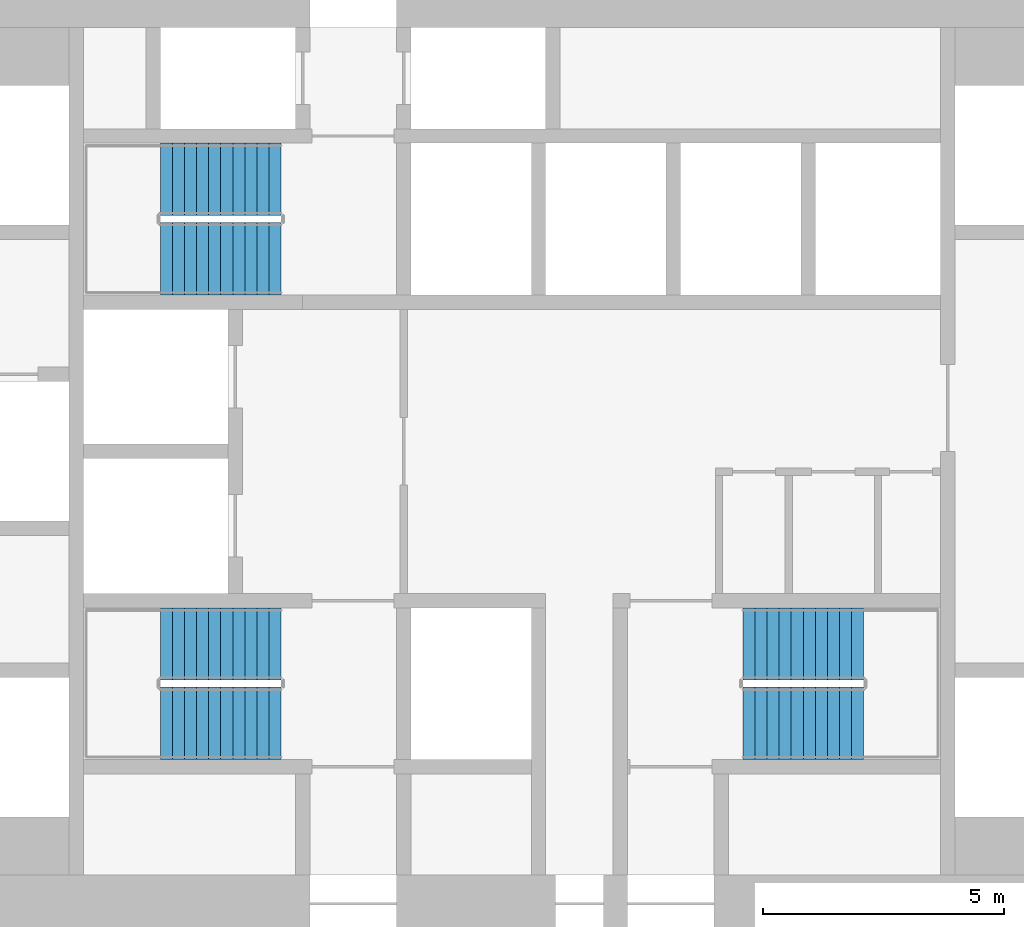
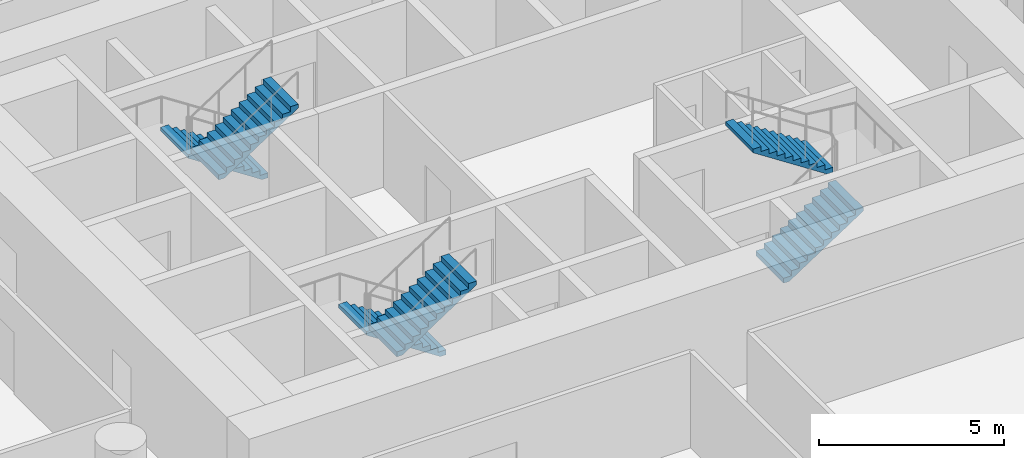
# One storey, part 10 of 11: 6 stair flights, 3 elements without a shape of their own.
"""IFC4 building model written with IfcOpenShell, lengths in metres."""

from ifc_helpers import new_model, si_unit, direction, frame, origin, place, context, subcontext, project, spatial, polyline, outline, extrude, material, type_object, element, aggregate, save


model = new_model("IFC4")

# Units and contexts
model_context = context("Model", 3, precision=1e-05, world=origin(), true_north=direction((0.0, 1.0)))
body_context = subcontext(model_context, "Body", "Model", "MODEL_VIEW")
ifc_project = project(units=[si_unit("LENGTHUNIT", "METRE"), si_unit("AREAUNIT", "SQUARE_METRE"), si_unit("VOLUMEUNIT", "CUBIC_METRE"), si_unit("PLANEANGLEUNIT", "RADIAN"), si_unit("MASSUNIT", "GRAM", prefix="KILO")], contexts=[model_context])

# Site, building, storey
site_placement = place(None, origin())
site = spatial("IfcSite", under=ifc_project, at=site_placement, CompositionType="ELEMENT")
building_placement = place(site_placement, origin())
building = spatial("IfcBuilding", under=site, at=building_placement, Name="Tracery Tower", CompositionType="ELEMENT")
storey_placement = place(building_placement, frame((0.0, 0.0, 64.199951171875)))
storey = spatial("IfcBuildingStorey", under=building, at=storey_placement, Name="L15", CompositionType="ELEMENT", Elevation=64.199951171875)

# Stair, stair flights
ifc_material_1 = material(Name="Concrete C32/40", Category="concrete")
stair_type = type_object("IfcStairType", Name="Core stair 22 risers", PredefinedType="HALF_TURN_STAIR", material=ifc_material_1)
stair_1_placement = place(storey_placement, origin())
stair_1 = element("IfcStair", 1, at=stair_1_placement, inside=storey, type_object=stair_type, Name="L15 stair ST1", PredefinedType="HALF_TURN_STAIR")
ifc_material_2 = material(Name="Concrete C32/40", Category="concrete")
stair_flight_type = type_object("IfcStairFlightType", Name="Core stair flight 11 risers", PredefinedType="STRAIGHT", material=ifc_material_2)
stair_flight_1_placement = place(storey_placement, frame((-4.800048828125, -4.0, 0.0), z_axis=(0.0, 0.0, 1.0), x_axis=(-1.0, 0.0, 0.0)))
stair_flight_1 = element("IfcStairFlight", 2, at=stair_flight_1_placement, type_object=stair_flight_type, Name="ST1 flight 1", NumberOfRisers=11, NumberOfTreads=10, PredefinedType="STRAIGHT", RiserHeight=0.163636364, TreadLength=0.25, context=body_context, shape_type="SweptSolid", body=[
    extrude(outline(polyline([(0.0, 0.0), (0.0, 0.002685546875), (0.0, 0.00537109375), (0.0, 0.008056640625), (0.0, 0.0107421875), (0.0, 0.013427734375), (0.0, 0.01611328125), (0.0, 0.018798828125), (0.0, 0.021484375), (0.0, 0.024169921875), (0.0, 0.02685546875), (0.0, 0.029541015625), (0.0, 0.0322265625), (0.0, 0.034912109375), (0.0, 0.03759765625), (0.0, 0.040283203125), (0.0, 0.04296875), (0.0, 0.045654296875), (0.0, 0.04833984375), (0.0, 0.051025390625), (0.0, 0.0537109375), (0.0, 0.056396484375), (0.0, 0.05908203125), (0.0, 0.061767578125), (0.0, 0.064453125), (0.0, 0.067138671875), (0.0, 0.06982421875), (0.0, 0.072509765625), (0.0, 0.0751953125), (0.0, 0.077880859375), (0.0, 0.08056640625), (0.0, 0.083251953125), (0.0, 0.0859375), (0.0, 0.088623046875), (0.0, 0.09130859375), (0.0, 0.093994140625), (0.0, 0.0966796875), (0.0, 0.099365234375), (0.0, 0.10205078125), (0.0, 0.104736328125), (0.0, 0.107421875), (0.0, 0.10986328125), (0.0, 0.112548828125), (0.0, 0.115234375), (0.0, 0.117919921875), (0.0, 0.12060546875), (0.0, 0.123291015625), (0.0, 0.1259765625), (0.0, 0.128662109375), (0.0, 0.13134765625), (0.0, 0.134033203125), (0.0, 0.13671875), (0.0, 0.139404296875), (0.0, 0.14208984375), (0.0, 0.144775390625), (0.0, 0.1474609375), (0.0, 0.150146484375), (0.0, 0.15283203125), (0.0, 0.155517578125), (0.0, 0.158203125), (0.0, 0.160888671875), (0.0, 0.16357421875), (0.25, 0.16357421875), (0.25, 0.327392578125), (0.5, 0.327392578125), (0.5, 0.490966796875), (0.75, 0.490966796875), (0.75, 0.654541015625), (1.0, 0.654541015625), (1.0, 0.818115234375), (1.25, 0.818115234375), (1.25, 0.98193359375), (1.5, 0.98193359375), (1.5, 1.1455078125), (1.75, 1.1455078125), (1.75, 1.30908203125), (2.0, 1.30908203125), (2.0, 1.47265625), (2.25, 1.47265625), (2.25, 1.636474609375), (2.5, 1.636474609375), (2.5, 1.634521484375), (2.5, 1.63232421875), (2.5, 1.63037109375), (2.5, 1.62841796875), (2.5, 1.62646484375), (2.5, 1.62451171875), (2.5, 1.62255859375), (2.5, 1.62060546875), (2.5, 1.61865234375), (2.5, 1.61669921875), (2.5, 1.61474609375), (2.5, 1.61279296875), (2.5, 1.61083984375), (2.5, 1.60888671875), (2.5, 1.60693359375), (2.5, 1.60498046875), (2.5, 1.60302734375), (2.5, 1.60107421875), (2.5, 1.59912109375), (2.5, 1.59716796875), (2.5, 1.59521484375), (2.5, 1.59326171875), (2.5, 1.59130859375), (2.5, 1.58935546875), (2.5, 1.58740234375), (2.5, 1.58544921875), (2.5, 1.58349609375), (2.5, 1.58154296875), (2.5, 1.57958984375), (2.5, 1.57763671875), (2.5, 1.57568359375), (2.5, 1.573486328125), (2.5, 1.571533203125), (2.5, 1.569580078125), (2.5, 1.567626953125), (2.5, 1.565673828125), (2.5, 1.563720703125), (2.5, 1.561767578125), (2.5, 1.559814453125), (2.5, 1.557861328125), (2.5, 1.555908203125), (2.5, 1.553955078125), (2.5, 1.552001953125), (2.5, 1.550048828125), (2.5, 1.548095703125), (2.5, 1.546142578125), (2.5, 1.544189453125), (2.5, 1.542236328125), (2.5, 1.540283203125), (2.5, 1.538330078125), (2.5, 1.536376953125), (2.5, 1.534423828125), (2.5, 1.532470703125), (2.5, 1.530517578125), (2.5, 1.528564453125), (2.5, 1.526611328125), (2.5, 1.524658203125), (2.5, 1.522705078125), (2.5, 1.520751953125), (2.5, 1.518798828125), (2.5, 1.516845703125), (0.182861328125, 0.0), (0.0, 0.0)])), frame((0.0, 0.75, 0.0), z_axis=(0.0, -1.0, 0.0), x_axis=(1.0, 0.0, 0.0)), (0.0, 0.0, 1.0), 1.5),
])
stair_flight_2_placement = place(storey_placement, frame((-7.300048828125, -5.64990234375, 1.800048828125), z_axis=(0.0, 0.0, 1.0), x_axis=(1.0, 0.0, 0.0)))
stair_flight_2 = element("IfcStairFlight", 3, at=stair_flight_2_placement, type_object=stair_flight_type, Name="ST1 flight 2", NumberOfRisers=11, NumberOfTreads=10, PredefinedType="STRAIGHT", RiserHeight=0.163636364, TreadLength=0.25, context=body_context, shape_type="SweptSolid", body=[
    extrude(outline(polyline([(0.0, 0.0), (0.0, 0.002685546875), (0.0, 0.00537109375), (0.0, 0.008056640625), (0.0, 0.0107421875), (0.0, 0.013427734375), (0.0, 0.01611328125), (0.0, 0.018798828125), (0.0, 0.021484375), (0.0, 0.024169921875), (0.0, 0.02685546875), (0.0, 0.029541015625), (0.0, 0.0322265625), (0.0, 0.034912109375), (0.0, 0.03759765625), (0.0, 0.040283203125), (0.0, 0.04296875), (0.0, 0.045654296875), (0.0, 0.04833984375), (0.0, 0.051025390625), (0.0, 0.0537109375), (0.0, 0.056396484375), (0.0, 0.05908203125), (0.0, 0.061767578125), (0.0, 0.064453125), (0.0, 0.067138671875), (0.0, 0.06982421875), (0.0, 0.072509765625), (0.0, 0.0751953125), (0.0, 0.077880859375), (0.0, 0.08056640625), (0.0, 0.083251953125), (0.0, 0.0859375), (0.0, 0.088623046875), (0.0, 0.09130859375), (0.0, 0.093994140625), (0.0, 0.0966796875), (0.0, 0.099365234375), (0.0, 0.10205078125), (0.0, 0.104736328125), (0.0, 0.107421875), (0.0, 0.10986328125), (0.0, 0.112548828125), (0.0, 0.115234375), (0.0, 0.117919921875), (0.0, 0.12060546875), (0.0, 0.123291015625), (0.0, 0.1259765625), (0.0, 0.128662109375), (0.0, 0.13134765625), (0.0, 0.134033203125), (0.0, 0.13671875), (0.0, 0.139404296875), (0.0, 0.14208984375), (0.0, 0.144775390625), (0.0, 0.1474609375), (0.0, 0.150146484375), (0.0, 0.15283203125), (0.0, 0.155517578125), (0.0, 0.158203125), (0.0, 0.160888671875), (0.0, 0.16357421875), (0.25, 0.16357421875), (0.25, 0.327392578125), (0.5, 0.327392578125), (0.5, 0.490966796875), (0.75, 0.490966796875), (0.75, 0.654541015625), (1.0, 0.654541015625), (1.0, 0.818115234375), (1.25, 0.818115234375), (1.25, 0.98193359375), (1.5, 0.98193359375), (1.5, 1.1455078125), (1.75, 1.1455078125), (1.75, 1.30908203125), (2.0, 1.30908203125), (2.0, 1.47265625), (2.25, 1.47265625), (2.25, 1.636474609375), (2.5, 1.636474609375), (2.5, 1.634521484375), (2.5, 1.63232421875), (2.5, 1.63037109375), (2.5, 1.62841796875), (2.5, 1.62646484375), (2.5, 1.62451171875), (2.5, 1.62255859375), (2.5, 1.62060546875), (2.5, 1.61865234375), (2.5, 1.61669921875), (2.5, 1.61474609375), (2.5, 1.61279296875), (2.5, 1.61083984375), (2.5, 1.60888671875), (2.5, 1.60693359375), (2.5, 1.60498046875), (2.5, 1.60302734375), (2.5, 1.60107421875), (2.5, 1.59912109375), (2.5, 1.59716796875), (2.5, 1.59521484375), (2.5, 1.59326171875), (2.5, 1.59130859375), (2.5, 1.58935546875), (2.5, 1.58740234375), (2.5, 1.58544921875), (2.5, 1.58349609375), (2.5, 1.58154296875), (2.5, 1.57958984375), (2.5, 1.57763671875), (2.5, 1.57568359375), (2.5, 1.573486328125), (2.5, 1.571533203125), (2.5, 1.569580078125), (2.5, 1.567626953125), (2.5, 1.565673828125), (2.5, 1.563720703125), (2.5, 1.561767578125), (2.5, 1.559814453125), (2.5, 1.557861328125), (2.5, 1.555908203125), (2.5, 1.553955078125), (2.5, 1.552001953125), (2.5, 1.550048828125), (2.5, 1.548095703125), (2.5, 1.546142578125), (2.5, 1.544189453125), (2.5, 1.542236328125), (2.5, 1.540283203125), (2.5, 1.538330078125), (2.5, 1.536376953125), (2.5, 1.534423828125), (2.5, 1.532470703125), (2.5, 1.530517578125), (2.5, 1.528564453125), (2.5, 1.526611328125), (2.5, 1.524658203125), (2.5, 1.522705078125), (2.5, 1.520751953125), (2.5, 1.518798828125), (2.5, 1.516845703125), (0.182861328125, 0.0), (0.0, 0.0)])), frame((0.0, 0.75, 0.0), z_axis=(0.0, -1.0, 0.0), x_axis=(1.0, 0.0, 0.0)), (0.0, 0.0, 1.0), 1.5),
])
aggregate(stair_1, [stair_flight_1, stair_flight_2])

stair_2_placement = place(storey_placement, origin())
stair_2 = element("IfcStair", 4, at=stair_2_placement, inside=storey, type_object=stair_type, Name="L15 stair ST3", PredefinedType="HALF_TURN_STAIR")
stair_flight_3_placement = place(storey_placement, frame((-4.800048828125, 5.64990234375, 0.0), z_axis=(0.0, 0.0, 1.0), x_axis=(-1.0, 0.0, 0.0)))
stair_flight_3 = element("IfcStairFlight", 5, at=stair_flight_3_placement, type_object=stair_flight_type, Name="ST3 flight 1", NumberOfRisers=11, NumberOfTreads=10, PredefinedType="STRAIGHT", RiserHeight=0.163636364, TreadLength=0.25, context=body_context, shape_type="SweptSolid", body=[
    extrude(outline(polyline([(0.0, 0.0), (0.0, 0.002685546875), (0.0, 0.00537109375), (0.0, 0.008056640625), (0.0, 0.0107421875), (0.0, 0.013427734375), (0.0, 0.01611328125), (0.0, 0.018798828125), (0.0, 0.021484375), (0.0, 0.024169921875), (0.0, 0.02685546875), (0.0, 0.029541015625), (0.0, 0.0322265625), (0.0, 0.034912109375), (0.0, 0.03759765625), (0.0, 0.040283203125), (0.0, 0.04296875), (0.0, 0.045654296875), (0.0, 0.04833984375), (0.0, 0.051025390625), (0.0, 0.0537109375), (0.0, 0.056396484375), (0.0, 0.05908203125), (0.0, 0.061767578125), (0.0, 0.064453125), (0.0, 0.067138671875), (0.0, 0.06982421875), (0.0, 0.072509765625), (0.0, 0.0751953125), (0.0, 0.077880859375), (0.0, 0.08056640625), (0.0, 0.083251953125), (0.0, 0.0859375), (0.0, 0.088623046875), (0.0, 0.09130859375), (0.0, 0.093994140625), (0.0, 0.0966796875), (0.0, 0.099365234375), (0.0, 0.10205078125), (0.0, 0.104736328125), (0.0, 0.107421875), (0.0, 0.10986328125), (0.0, 0.112548828125), (0.0, 0.115234375), (0.0, 0.117919921875), (0.0, 0.12060546875), (0.0, 0.123291015625), (0.0, 0.1259765625), (0.0, 0.128662109375), (0.0, 0.13134765625), (0.0, 0.134033203125), (0.0, 0.13671875), (0.0, 0.139404296875), (0.0, 0.14208984375), (0.0, 0.144775390625), (0.0, 0.1474609375), (0.0, 0.150146484375), (0.0, 0.15283203125), (0.0, 0.155517578125), (0.0, 0.158203125), (0.0, 0.160888671875), (0.0, 0.16357421875), (0.25, 0.16357421875), (0.25, 0.327392578125), (0.5, 0.327392578125), (0.5, 0.490966796875), (0.75, 0.490966796875), (0.75, 0.654541015625), (1.0, 0.654541015625), (1.0, 0.818115234375), (1.25, 0.818115234375), (1.25, 0.98193359375), (1.5, 0.98193359375), (1.5, 1.1455078125), (1.75, 1.1455078125), (1.75, 1.30908203125), (2.0, 1.30908203125), (2.0, 1.47265625), (2.25, 1.47265625), (2.25, 1.636474609375), (2.5, 1.636474609375), (2.5, 1.634521484375), (2.5, 1.63232421875), (2.5, 1.63037109375), (2.5, 1.62841796875), (2.5, 1.62646484375), (2.5, 1.62451171875), (2.5, 1.62255859375), (2.5, 1.62060546875), (2.5, 1.61865234375), (2.5, 1.61669921875), (2.5, 1.61474609375), (2.5, 1.61279296875), (2.5, 1.61083984375), (2.5, 1.60888671875), (2.5, 1.60693359375), (2.5, 1.60498046875), (2.5, 1.60302734375), (2.5, 1.60107421875), (2.5, 1.59912109375), (2.5, 1.59716796875), (2.5, 1.59521484375), (2.5, 1.59326171875), (2.5, 1.59130859375), (2.5, 1.58935546875), (2.5, 1.58740234375), (2.5, 1.58544921875), (2.5, 1.58349609375), (2.5, 1.58154296875), (2.5, 1.57958984375), (2.5, 1.57763671875), (2.5, 1.57568359375), (2.5, 1.573486328125), (2.5, 1.571533203125), (2.5, 1.569580078125), (2.5, 1.567626953125), (2.5, 1.565673828125), (2.5, 1.563720703125), (2.5, 1.561767578125), (2.5, 1.559814453125), (2.5, 1.557861328125), (2.5, 1.555908203125), (2.5, 1.553955078125), (2.5, 1.552001953125), (2.5, 1.550048828125), (2.5, 1.548095703125), (2.5, 1.546142578125), (2.5, 1.544189453125), (2.5, 1.542236328125), (2.5, 1.540283203125), (2.5, 1.538330078125), (2.5, 1.536376953125), (2.5, 1.534423828125), (2.5, 1.532470703125), (2.5, 1.530517578125), (2.5, 1.528564453125), (2.5, 1.526611328125), (2.5, 1.524658203125), (2.5, 1.522705078125), (2.5, 1.520751953125), (2.5, 1.518798828125), (2.5, 1.516845703125), (0.182861328125, 0.0), (0.0, 0.0)])), frame((0.0, 0.75, 0.0), z_axis=(0.0, -1.0, 0.0), x_axis=(1.0, 0.0, 0.0)), (0.0, 0.0, 1.0), 1.5),
])
stair_flight_4_placement = place(storey_placement, frame((-7.300048828125, 4.0, 1.800048828125), z_axis=(0.0, 0.0, 1.0), x_axis=(1.0, 0.0, 0.0)))
stair_flight_4 = element("IfcStairFlight", 6, at=stair_flight_4_placement, type_object=stair_flight_type, Name="ST3 flight 2", NumberOfRisers=11, NumberOfTreads=10, PredefinedType="STRAIGHT", RiserHeight=0.163636364, TreadLength=0.25, context=body_context, shape_type="SweptSolid", body=[
    extrude(outline(polyline([(0.0, 0.0), (0.0, 0.002685546875), (0.0, 0.00537109375), (0.0, 0.008056640625), (0.0, 0.0107421875), (0.0, 0.013427734375), (0.0, 0.01611328125), (0.0, 0.018798828125), (0.0, 0.021484375), (0.0, 0.024169921875), (0.0, 0.02685546875), (0.0, 0.029541015625), (0.0, 0.0322265625), (0.0, 0.034912109375), (0.0, 0.03759765625), (0.0, 0.040283203125), (0.0, 0.04296875), (0.0, 0.045654296875), (0.0, 0.04833984375), (0.0, 0.051025390625), (0.0, 0.0537109375), (0.0, 0.056396484375), (0.0, 0.05908203125), (0.0, 0.061767578125), (0.0, 0.064453125), (0.0, 0.067138671875), (0.0, 0.06982421875), (0.0, 0.072509765625), (0.0, 0.0751953125), (0.0, 0.077880859375), (0.0, 0.08056640625), (0.0, 0.083251953125), (0.0, 0.0859375), (0.0, 0.088623046875), (0.0, 0.09130859375), (0.0, 0.093994140625), (0.0, 0.0966796875), (0.0, 0.099365234375), (0.0, 0.10205078125), (0.0, 0.104736328125), (0.0, 0.107421875), (0.0, 0.10986328125), (0.0, 0.112548828125), (0.0, 0.115234375), (0.0, 0.117919921875), (0.0, 0.12060546875), (0.0, 0.123291015625), (0.0, 0.1259765625), (0.0, 0.128662109375), (0.0, 0.13134765625), (0.0, 0.134033203125), (0.0, 0.13671875), (0.0, 0.139404296875), (0.0, 0.14208984375), (0.0, 0.144775390625), (0.0, 0.1474609375), (0.0, 0.150146484375), (0.0, 0.15283203125), (0.0, 0.155517578125), (0.0, 0.158203125), (0.0, 0.160888671875), (0.0, 0.16357421875), (0.25, 0.16357421875), (0.25, 0.327392578125), (0.5, 0.327392578125), (0.5, 0.490966796875), (0.75, 0.490966796875), (0.75, 0.654541015625), (1.0, 0.654541015625), (1.0, 0.818115234375), (1.25, 0.818115234375), (1.25, 0.98193359375), (1.5, 0.98193359375), (1.5, 1.1455078125), (1.75, 1.1455078125), (1.75, 1.30908203125), (2.0, 1.30908203125), (2.0, 1.47265625), (2.25, 1.47265625), (2.25, 1.636474609375), (2.5, 1.636474609375), (2.5, 1.634521484375), (2.5, 1.63232421875), (2.5, 1.63037109375), (2.5, 1.62841796875), (2.5, 1.62646484375), (2.5, 1.62451171875), (2.5, 1.62255859375), (2.5, 1.62060546875), (2.5, 1.61865234375), (2.5, 1.61669921875), (2.5, 1.61474609375), (2.5, 1.61279296875), (2.5, 1.61083984375), (2.5, 1.60888671875), (2.5, 1.60693359375), (2.5, 1.60498046875), (2.5, 1.60302734375), (2.5, 1.60107421875), (2.5, 1.59912109375), (2.5, 1.59716796875), (2.5, 1.59521484375), (2.5, 1.59326171875), (2.5, 1.59130859375), (2.5, 1.58935546875), (2.5, 1.58740234375), (2.5, 1.58544921875), (2.5, 1.58349609375), (2.5, 1.58154296875), (2.5, 1.57958984375), (2.5, 1.57763671875), (2.5, 1.57568359375), (2.5, 1.573486328125), (2.5, 1.571533203125), (2.5, 1.569580078125), (2.5, 1.567626953125), (2.5, 1.565673828125), (2.5, 1.563720703125), (2.5, 1.561767578125), (2.5, 1.559814453125), (2.5, 1.557861328125), (2.5, 1.555908203125), (2.5, 1.553955078125), (2.5, 1.552001953125), (2.5, 1.550048828125), (2.5, 1.548095703125), (2.5, 1.546142578125), (2.5, 1.544189453125), (2.5, 1.542236328125), (2.5, 1.540283203125), (2.5, 1.538330078125), (2.5, 1.536376953125), (2.5, 1.534423828125), (2.5, 1.532470703125), (2.5, 1.530517578125), (2.5, 1.528564453125), (2.5, 1.526611328125), (2.5, 1.524658203125), (2.5, 1.522705078125), (2.5, 1.520751953125), (2.5, 1.518798828125), (2.5, 1.516845703125), (0.182861328125, 0.0), (0.0, 0.0)])), frame((0.0, 0.75, 0.0), z_axis=(0.0, -1.0, 0.0), x_axis=(1.0, 0.0, 0.0)), (0.0, 0.0, 1.0), 1.5),
])
aggregate(stair_2, [stair_flight_3, stair_flight_4])

stair_3_placement = place(storey_placement, origin())
stair_3 = element("IfcStair", 7, at=stair_3_placement, inside=storey, type_object=stair_type, Name="L15 stair ST2", PredefinedType="HALF_TURN_STAIR")
stair_flight_5_placement = place(storey_placement, frame((4.800048828125, -5.64990234375, 0.0), z_axis=(0.0, 0.0, 1.0), x_axis=(1.0, 0.0, 0.0)))
stair_flight_5 = element("IfcStairFlight", 8, at=stair_flight_5_placement, type_object=stair_flight_type, Name="ST2 flight 1", NumberOfRisers=11, NumberOfTreads=10, PredefinedType="STRAIGHT", RiserHeight=0.163636364, TreadLength=0.25, context=body_context, shape_type="SweptSolid", body=[
    extrude(outline(polyline([(0.0, 0.0), (0.0, 0.002685546875), (0.0, 0.00537109375), (0.0, 0.008056640625), (0.0, 0.0107421875), (0.0, 0.013427734375), (0.0, 0.01611328125), (0.0, 0.018798828125), (0.0, 0.021484375), (0.0, 0.024169921875), (0.0, 0.02685546875), (0.0, 0.029541015625), (0.0, 0.0322265625), (0.0, 0.034912109375), (0.0, 0.03759765625), (0.0, 0.040283203125), (0.0, 0.04296875), (0.0, 0.045654296875), (0.0, 0.04833984375), (0.0, 0.051025390625), (0.0, 0.0537109375), (0.0, 0.056396484375), (0.0, 0.05908203125), (0.0, 0.061767578125), (0.0, 0.064453125), (0.0, 0.067138671875), (0.0, 0.06982421875), (0.0, 0.072509765625), (0.0, 0.0751953125), (0.0, 0.077880859375), (0.0, 0.08056640625), (0.0, 0.083251953125), (0.0, 0.0859375), (0.0, 0.088623046875), (0.0, 0.09130859375), (0.0, 0.093994140625), (0.0, 0.0966796875), (0.0, 0.099365234375), (0.0, 0.10205078125), (0.0, 0.104736328125), (0.0, 0.107421875), (0.0, 0.10986328125), (0.0, 0.112548828125), (0.0, 0.115234375), (0.0, 0.117919921875), (0.0, 0.12060546875), (0.0, 0.123291015625), (0.0, 0.1259765625), (0.0, 0.128662109375), (0.0, 0.13134765625), (0.0, 0.134033203125), (0.0, 0.13671875), (0.0, 0.139404296875), (0.0, 0.14208984375), (0.0, 0.144775390625), (0.0, 0.1474609375), (0.0, 0.150146484375), (0.0, 0.15283203125), (0.0, 0.155517578125), (0.0, 0.158203125), (0.0, 0.160888671875), (0.0, 0.16357421875), (0.25, 0.16357421875), (0.25, 0.327392578125), (0.5, 0.327392578125), (0.5, 0.490966796875), (0.75, 0.490966796875), (0.75, 0.654541015625), (1.0, 0.654541015625), (1.0, 0.818115234375), (1.25, 0.818115234375), (1.25, 0.98193359375), (1.5, 0.98193359375), (1.5, 1.1455078125), (1.75, 1.1455078125), (1.75, 1.30908203125), (2.0, 1.30908203125), (2.0, 1.47265625), (2.25, 1.47265625), (2.25, 1.636474609375), (2.5, 1.636474609375), (2.5, 1.634521484375), (2.5, 1.63232421875), (2.5, 1.63037109375), (2.5, 1.62841796875), (2.5, 1.62646484375), (2.5, 1.62451171875), (2.5, 1.62255859375), (2.5, 1.62060546875), (2.5, 1.61865234375), (2.5, 1.61669921875), (2.5, 1.61474609375), (2.5, 1.61279296875), (2.5, 1.61083984375), (2.5, 1.60888671875), (2.5, 1.60693359375), (2.5, 1.60498046875), (2.5, 1.60302734375), (2.5, 1.60107421875), (2.5, 1.59912109375), (2.5, 1.59716796875), (2.5, 1.59521484375), (2.5, 1.59326171875), (2.5, 1.59130859375), (2.5, 1.58935546875), (2.5, 1.58740234375), (2.5, 1.58544921875), (2.5, 1.58349609375), (2.5, 1.58154296875), (2.5, 1.57958984375), (2.5, 1.57763671875), (2.5, 1.57568359375), (2.5, 1.573486328125), (2.5, 1.571533203125), (2.5, 1.569580078125), (2.5, 1.567626953125), (2.5, 1.565673828125), (2.5, 1.563720703125), (2.5, 1.561767578125), (2.5, 1.559814453125), (2.5, 1.557861328125), (2.5, 1.555908203125), (2.5, 1.553955078125), (2.5, 1.552001953125), (2.5, 1.550048828125), (2.5, 1.548095703125), (2.5, 1.546142578125), (2.5, 1.544189453125), (2.5, 1.542236328125), (2.5, 1.540283203125), (2.5, 1.538330078125), (2.5, 1.536376953125), (2.5, 1.534423828125), (2.5, 1.532470703125), (2.5, 1.530517578125), (2.5, 1.528564453125), (2.5, 1.526611328125), (2.5, 1.524658203125), (2.5, 1.522705078125), (2.5, 1.520751953125), (2.5, 1.518798828125), (2.5, 1.516845703125), (0.182861328125, 0.0), (0.0, 0.0)])), frame((0.0, 0.75, 0.0), z_axis=(0.0, -1.0, 0.0), x_axis=(1.0, 0.0, 0.0)), (0.0, 0.0, 1.0), 1.5),
])
stair_flight_6_placement = place(storey_placement, frame((7.300048828125, -4.0, 1.800048828125), z_axis=(0.0, 0.0, 1.0), x_axis=(-1.0, 0.0, 0.0)))
stair_flight_6 = element("IfcStairFlight", 9, at=stair_flight_6_placement, type_object=stair_flight_type, Name="ST2 flight 2", NumberOfRisers=11, NumberOfTreads=10, PredefinedType="STRAIGHT", RiserHeight=0.163636364, TreadLength=0.25, context=body_context, shape_type="SweptSolid", body=[
    extrude(outline(polyline([(0.0, 0.0), (0.0, 0.002685546875), (0.0, 0.00537109375), (0.0, 0.008056640625), (0.0, 0.0107421875), (0.0, 0.013427734375), (0.0, 0.01611328125), (0.0, 0.018798828125), (0.0, 0.021484375), (0.0, 0.024169921875), (0.0, 0.02685546875), (0.0, 0.029541015625), (0.0, 0.0322265625), (0.0, 0.034912109375), (0.0, 0.03759765625), (0.0, 0.040283203125), (0.0, 0.04296875), (0.0, 0.045654296875), (0.0, 0.04833984375), (0.0, 0.051025390625), (0.0, 0.0537109375), (0.0, 0.056396484375), (0.0, 0.05908203125), (0.0, 0.061767578125), (0.0, 0.064453125), (0.0, 0.067138671875), (0.0, 0.06982421875), (0.0, 0.072509765625), (0.0, 0.0751953125), (0.0, 0.077880859375), (0.0, 0.08056640625), (0.0, 0.083251953125), (0.0, 0.0859375), (0.0, 0.088623046875), (0.0, 0.09130859375), (0.0, 0.093994140625), (0.0, 0.0966796875), (0.0, 0.099365234375), (0.0, 0.10205078125), (0.0, 0.104736328125), (0.0, 0.107421875), (0.0, 0.10986328125), (0.0, 0.112548828125), (0.0, 0.115234375), (0.0, 0.117919921875), (0.0, 0.12060546875), (0.0, 0.123291015625), (0.0, 0.1259765625), (0.0, 0.128662109375), (0.0, 0.13134765625), (0.0, 0.134033203125), (0.0, 0.13671875), (0.0, 0.139404296875), (0.0, 0.14208984375), (0.0, 0.144775390625), (0.0, 0.1474609375), (0.0, 0.150146484375), (0.0, 0.15283203125), (0.0, 0.155517578125), (0.0, 0.158203125), (0.0, 0.160888671875), (0.0, 0.16357421875), (0.25, 0.16357421875), (0.25, 0.327392578125), (0.5, 0.327392578125), (0.5, 0.490966796875), (0.75, 0.490966796875), (0.75, 0.654541015625), (1.0, 0.654541015625), (1.0, 0.818115234375), (1.25, 0.818115234375), (1.25, 0.98193359375), (1.5, 0.98193359375), (1.5, 1.1455078125), (1.75, 1.1455078125), (1.75, 1.30908203125), (2.0, 1.30908203125), (2.0, 1.47265625), (2.25, 1.47265625), (2.25, 1.636474609375), (2.5, 1.636474609375), (2.5, 1.634521484375), (2.5, 1.63232421875), (2.5, 1.63037109375), (2.5, 1.62841796875), (2.5, 1.62646484375), (2.5, 1.62451171875), (2.5, 1.62255859375), (2.5, 1.62060546875), (2.5, 1.61865234375), (2.5, 1.61669921875), (2.5, 1.61474609375), (2.5, 1.61279296875), (2.5, 1.61083984375), (2.5, 1.60888671875), (2.5, 1.60693359375), (2.5, 1.60498046875), (2.5, 1.60302734375), (2.5, 1.60107421875), (2.5, 1.59912109375), (2.5, 1.59716796875), (2.5, 1.59521484375), (2.5, 1.59326171875), (2.5, 1.59130859375), (2.5, 1.58935546875), (2.5, 1.58740234375), (2.5, 1.58544921875), (2.5, 1.58349609375), (2.5, 1.58154296875), (2.5, 1.57958984375), (2.5, 1.57763671875), (2.5, 1.57568359375), (2.5, 1.573486328125), (2.5, 1.571533203125), (2.5, 1.569580078125), (2.5, 1.567626953125), (2.5, 1.565673828125), (2.5, 1.563720703125), (2.5, 1.561767578125), (2.5, 1.559814453125), (2.5, 1.557861328125), (2.5, 1.555908203125), (2.5, 1.553955078125), (2.5, 1.552001953125), (2.5, 1.550048828125), (2.5, 1.548095703125), (2.5, 1.546142578125), (2.5, 1.544189453125), (2.5, 1.542236328125), (2.5, 1.540283203125), (2.5, 1.538330078125), (2.5, 1.536376953125), (2.5, 1.534423828125), (2.5, 1.532470703125), (2.5, 1.530517578125), (2.5, 1.528564453125), (2.5, 1.526611328125), (2.5, 1.524658203125), (2.5, 1.522705078125), (2.5, 1.520751953125), (2.5, 1.518798828125), (2.5, 1.516845703125), (0.182861328125, 0.0), (0.0, 0.0)])), frame((0.0, 0.75, 0.0), z_axis=(0.0, -1.0, 0.0), x_axis=(1.0, 0.0, 0.0)), (0.0, 0.0, 1.0), 1.5),
])
aggregate(stair_3, [stair_flight_5, stair_flight_6])

save(model, "model.ifc")
